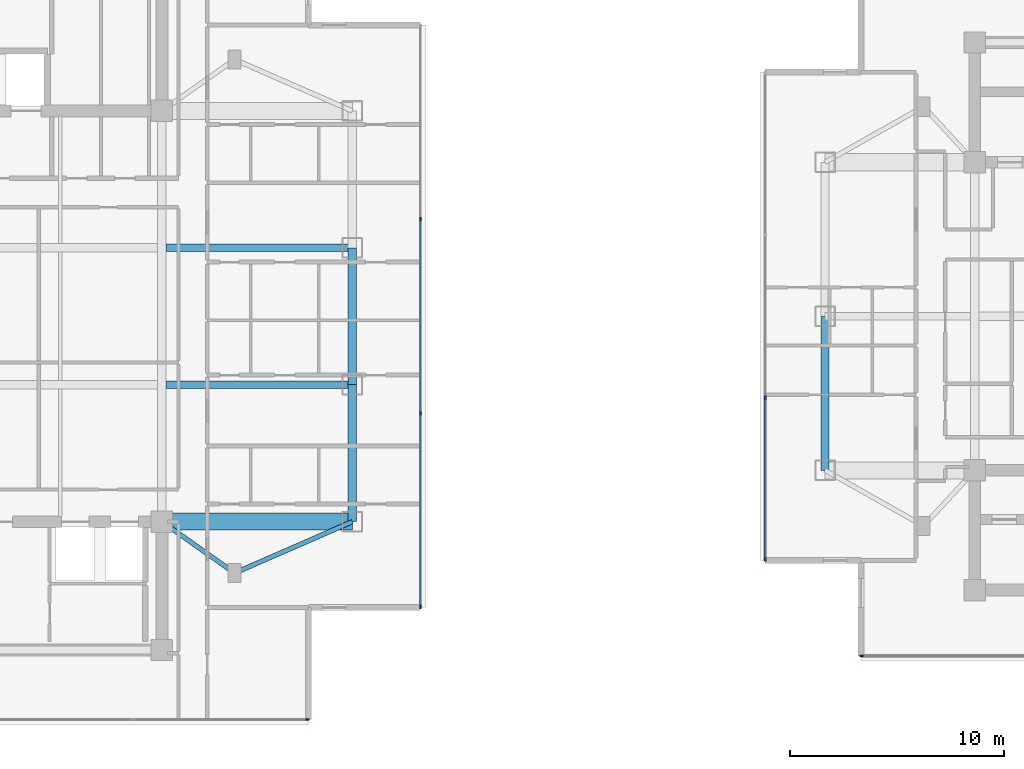
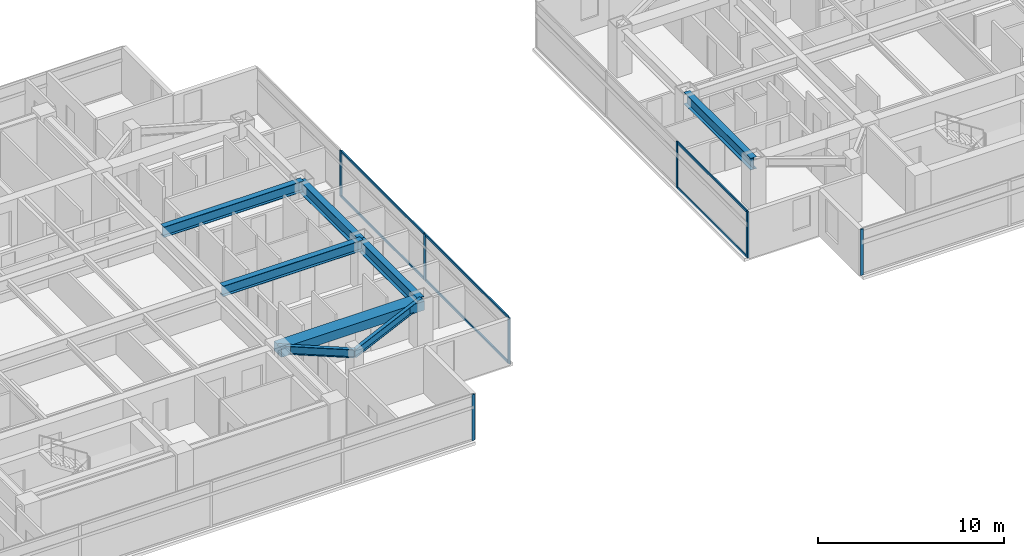
# One storey, part 4 of 25: 13 members, 8 beams, 4 elements without a shape of their own.
"""IFC4 building model written with IfcOpenShell, lengths in metres."""

from ifc_helpers import new_model, si_unit, direction, frame, origin, origin_2d, place, context, subcontext, project, spatial, rectangle, i_section, extrude, material, material_profile, profile_set, type_object, element, aggregate, save


model = new_model("IFC4")

# Units and contexts
model_context = context("Model", 3, precision=1e-05, world=origin(), true_north=direction((0.0, 1.0)))
body_context = subcontext(model_context, "Body", "Model", "MODEL_VIEW")
ifc_project = project(units=[si_unit("LENGTHUNIT", "METRE"), si_unit("AREAUNIT", "SQUARE_METRE"), si_unit("VOLUMEUNIT", "CUBIC_METRE"), si_unit("PLANEANGLEUNIT", "RADIAN"), si_unit("MASSUNIT", "GRAM", prefix="KILO")], contexts=[model_context])

# Site, building, storey
site_placement = place(None, origin())
site = spatial("IfcSite", under=ifc_project, at=site_placement, CompositionType="ELEMENT")
building_placement = place(site_placement, origin())
building = spatial("IfcBuilding", under=site, at=building_placement, Name="Mirazonda Arch Towers", CompositionType="ELEMENT")
storey_placement = place(building_placement, frame((0.0, 0.0, 177.14990234375)))
storey = spatial("IfcBuildingStorey", under=building, at=storey_placement, Name="L50", CompositionType="ELEMENT", Elevation=177.14990234375)

# Beams
ifc_material_1 = material(Name="Steel ASTM A992 Grade 50", Category="steel")
ifc_material_profile_1 = material_profile(ifc_material_1, i_section(OverallWidth=0.381103515625, OverallDepth=0.77294921875, WebThickness=0.0166015625, FlangeThickness=0.027099609375, at=origin_2d()), Name="W30X173")
ifc_profile_set_1 = profile_set([ifc_material_profile_1], Name="Steel ASTM A992 Grade 50")
beam_type_1 = type_object("IfcBeamType", Name="BM-EXT-W30X173", PredefinedType="USERDEFINED", material=ifc_profile_set_1)
beam_1_placement = place(storey_placement, frame((38.89990234375, 18.39990234375, 2.66357421875), z_axis=(0.0, 1.0, 0.0), x_axis=(-1.0, 0.0, 0.0)))
element("IfcBeam", 1, at=beam_1_placement, inside=storey, type_object=beam_type_1, Name="L50 Floor Beam BM-T1-L50-NS-E-18", ObjectType="GIRDER", PredefinedType="USERDEFINED", context=body_context, shape_type="SweptSolid", body=[
    extrude(i_section(OverallWidth=0.381103515625, OverallDepth=0.77294921875, WebThickness=0.0166015625, FlangeThickness=0.027099609375, at=origin_2d()), origin(), (0.0, 0.0, 1.0), 6.400146484375),
])
beam_2_placement = place(storey_placement, frame((38.89990234375, 24.800048828125, 2.66357421875), z_axis=(0.0, 1.0, 0.0), x_axis=(-1.0, 0.0, 0.0)))
element("IfcBeam", 2, at=beam_2_placement, inside=storey, type_object=beam_type_1, Name="L50 Floor Beam BM-T1-L50-NS-E-24", ObjectType="GIRDER", PredefinedType="USERDEFINED", context=body_context, shape_type="SweptSolid", body=[
    extrude(i_section(OverallWidth=0.381103515625, OverallDepth=0.77294921875, WebThickness=0.0166015625, FlangeThickness=0.027099609375, at=origin_2d()), origin(), (0.0, 0.0, 1.0), 6.39990234375),
])
beam_3_placement = place(storey_placement, frame((61.0, 20.800048828125, 2.66357421875), z_axis=(0.0, 1.0, 0.0), x_axis=(-1.0, 0.0, 0.0)))
element("IfcBeam", 3, at=beam_3_placement, inside=storey, type_object=beam_type_1, Name="L50 Floor Beam BM-T2-L50-NS-W-20", ObjectType="GIRDER", PredefinedType="USERDEFINED", context=body_context, shape_type="SweptSolid", body=[
    extrude(i_section(OverallWidth=0.381103515625, OverallDepth=0.77294921875, WebThickness=0.0166015625, FlangeThickness=0.027099609375, at=origin_2d()), origin(), (0.0, 0.0, 1.0), 7.199951171875),
])
ifc_material_profile_2 = material_profile(ifc_material_1, i_section(OverallWidth=0.214111328125, OverallDepth=0.549072265625, WebThickness=0.0146484375, FlangeThickness=0.023681640625, at=origin_2d()), Name="W21X93")
ifc_profile_set_2 = profile_set([ifc_material_profile_2], Name="Steel ASTM A992 Grade 50")
beam_type_2 = type_object("IfcBeamType", Name="BM-INT-W21X93", PredefinedType="BEAM", material=ifc_profile_set_2)
beam_4_placement = place(storey_placement, frame((33.39990234375, 16.0, 2.775634765625), z_axis=(-0.816971114901, 0.576678591087, 0.0), x_axis=(-0.576678591087, -0.816971114901, 0.0)))
element("IfcBeam", 4, at=beam_4_placement, inside=storey, type_object=beam_type_2, Name="L50 Floor Beam BM-T1-L50-PL-SE1", PredefinedType="BEAM", context=body_context, shape_type="SweptSolid", body=[
    extrude(i_section(OverallWidth=0.214111328125, OverallDepth=0.549072265625, WebThickness=0.0146484375, FlangeThickness=0.023681640625, at=origin_2d()), origin(), (0.0, 0.0, 1.0), 4.16162109375),
])
beam_5_placement = place(storey_placement, frame((33.39990234375, 16.0, 2.775634765625), z_axis=(0.916545343703, 0.399930785183, 0.0), x_axis=(-0.399930785183, 0.916545343703, 0.0)))
element("IfcBeam", 5, at=beam_5_placement, inside=storey, type_object=beam_type_2, Name="L50 Floor Beam BM-T1-L50-PL-SE2", PredefinedType="BEAM", context=body_context, shape_type="SweptSolid", body=[
    extrude(i_section(OverallWidth=0.214111328125, OverallDepth=0.549072265625, WebThickness=0.0146484375, FlangeThickness=0.023681640625, at=origin_2d()), origin(), (0.0, 0.0, 1.0), 6.000732421875),
])
ifc_material_profile_3 = material_profile(ifc_material_1, i_section(OverallWidth=0.35498046875, OverallDepth=0.696044921875, WebThickness=0.015380859375, FlangeThickness=0.02490234375, at=origin_2d()), Name="W27X146")
ifc_profile_set_3 = profile_set([ifc_material_profile_3], Name="Steel ASTM A992 Grade 50")
beam_type_3 = type_object("IfcBeamType", Name="BM-INT-W27X146", PredefinedType="BEAM", material=ifc_profile_set_3)
for number, where, z_axis, x_axis, name in (
    (6, (30.199951171875, 24.800048828125, 2.7021484375), (1.0, 0.0, 0.0), (0.0, 1.0, 0.0), "L50 Floor Beam BM-T1-L50-GE2"),
    (7, (30.199951171875, 31.199951171875, 2.7021484375), (1.0, 0.0, 0.0), (0.0, 1.0, 0.0), "L50 Floor Beam BM-T1-L50-GE3"),
):
    element("IfcBeam", number, at=place(storey_placement, frame(where, z_axis=z_axis, x_axis=x_axis)), inside=storey, type_object=beam_type_3, Name=name, PredefinedType="BEAM", context=body_context, shape_type="SweptSolid", body=[
        extrude(i_section(OverallWidth=0.35498046875, OverallDepth=0.696044921875, WebThickness=0.015380859375, FlangeThickness=0.02490234375, at=origin_2d()), origin(), (0.0, 0.0, 1.0), 8.699951171875),
    ])
ifc_material_2 = material(Name="Concrete C60/75", Category="concrete")
ifc_material_profile_4 = material_profile(ifc_material_2, rectangle(XDim=0.800048828125, YDim=0.60009765625, at=origin_2d()), Name="RCCB800x600")
ifc_profile_set_4 = profile_set([ifc_material_profile_4], Name="Concrete C60/75")
beam_type_4 = type_object("IfcBeamType", Name="CB-INT-RCCB800x600", PredefinedType="SPANDREL", material=ifc_profile_set_4)
beam_6_placement = place(storey_placement, frame((30.0, 18.39990234375, 2.75), z_axis=(1.0, 0.0, 0.0), x_axis=(0.0, 1.0, 0.0)))
element("IfcBeam", 8, at=beam_6_placement, inside=storey, type_object=beam_type_4, Name="L50 Floor Beam CBC-T1-L50-SE", PredefinedType="SPANDREL", context=body_context, shape_type="SweptSolid", body=[
    extrude(rectangle(XDim=0.800048828125, YDim=0.60009765625, at=origin_2d()), origin(), (0.0, 0.0, 1.0), 8.89990234375),
])

# Curtain wall, member
ifc_material_3 = material(Name="Anodised Aluminium and Low-E Glass", Category="aluminium")
curtain_wall_type = type_object("IfcCurtainWallType", Name="CW-RES-UNIT", PredefinedType="NOTDEFINED", material=ifc_material_3)
curtain_wall_1_placement = place(storey_placement, origin())
curtain_wall_1 = element("IfcCurtainWall", 9, at=curtain_wall_1_placement, inside=storey, type_object=curtain_wall_type, Name="L50 T1 S Facade CW-L50-T1-S", PredefinedType="NOTDEFINED")
ifc_material_4 = material(Name="Anodised Aluminium Alloy", Category="aluminium")
ifc_material_profile_5 = material_profile(ifc_material_4, rectangle(XDim=0.074951171875, YDim=0.175048828125, at=origin_2d()), Name="ALU-MULL-75x175")
ifc_profile_set_5 = profile_set([ifc_material_profile_5], Name="Anodised Aluminium Alloy")
member_type_1 = type_object("IfcMemberType", Name="MULL-CW-RES-UNIT", PredefinedType="MULLION", material=ifc_profile_set_5)
member_1_placement = place(storey_placement, frame((36.8076171875, 9.14404296875, 0.0), z_axis=(0.0, 0.0, 1.0), x_axis=(0.0, -1.0, 0.0)))
member_1 = element("IfcMember", 10, at=member_1_placement, type_object=member_type_1, Name="CW-104 mullion 1", PredefinedType="MULLION", context=body_context, shape_type="SweptSolid", body=[
    extrude(rectangle(XDim=0.074951171875, YDim=0.175048828125, at=origin_2d()), origin(), (0.0, 0.0, 1.0), 3.030029296875),
])
aggregate(curtain_wall_1, [member_1])

# Curtain wall, members
curtain_wall_2_placement = place(storey_placement, origin())
curtain_wall_2 = element("IfcCurtainWall", 11, at=curtain_wall_2_placement, inside=storey, type_object=curtain_wall_type, Name="L50 T1 E Facade CW-L50-T1-E", PredefinedType="NOTDEFINED")
member_2_placement = place(storey_placement, frame((42.090087890625, 14.426513671875, 0.0), z_axis=(0.0, 0.0, 1.0), x_axis=(-1.0, 0.0, 0.0)))
member_2 = element("IfcMember", 12, at=member_2_placement, type_object=member_type_1, Name="CW-104 mullion 1", PredefinedType="MULLION", context=body_context, shape_type="SweptSolid", body=[
    extrude(rectangle(XDim=0.074951171875, YDim=0.175048828125, at=origin_2d()), origin(), (0.0, 0.0, 1.0), 3.030029296875),
])
member_3_placement = place(storey_placement, frame((42.090087890625, 23.462890625, 0.0), z_axis=(0.0, 0.0, 1.0), x_axis=(-1.0, 0.0, 0.0)))
member_3 = element("IfcMember", 13, at=member_3_placement, type_object=member_type_1, Name="CW-104 mullion 2", PredefinedType="MULLION", context=body_context, shape_type="SweptSolid", body=[
    extrude(rectangle(XDim=0.074951171875, YDim=0.175048828125, at=origin_2d()), origin(), (0.0, 0.0, 1.0), 3.030029296875),
])
member_4_placement = place(storey_placement, frame((42.090087890625, 32.537109375, 0.0), z_axis=(0.0, 0.0, 1.0), x_axis=(-1.0, 0.0, 0.0)))
member_4 = element("IfcMember", 14, at=member_4_placement, type_object=member_type_1, Name="CW-104 mullion 3", PredefinedType="MULLION", context=body_context, shape_type="SweptSolid", body=[
    extrude(rectangle(XDim=0.074951171875, YDim=0.175048828125, at=origin_2d()), origin(), (0.0, 0.0, 1.0), 3.030029296875),
])

# Curtain wall, member
curtain_wall_3_placement = place(storey_placement, origin())
curtain_wall_3 = element("IfcCurtainWall", 15, at=curtain_wall_3_placement, inside=storey, type_object=curtain_wall_type, Name="L50 T2 S Facade CW-L50-T2-S", PredefinedType="NOTDEFINED")
member_5_placement = place(storey_placement, frame((62.7041015625, 12.12548828125, 0.0), z_axis=(0.0, 0.0, 1.0), x_axis=(0.0, -1.0, 0.0)))
member_5 = element("IfcMember", 16, at=member_5_placement, type_object=member_type_1, Name="CW-104 mullion 4", PredefinedType="MULLION", context=body_context, shape_type="SweptSolid", body=[
    extrude(rectangle(XDim=0.074951171875, YDim=0.175048828125, at=origin_2d()), origin(), (0.0, 0.0, 1.0), 3.030029296875),
])
aggregate(curtain_wall_3, [member_5])

# Curtain wall, members
curtain_wall_4_placement = place(storey_placement, origin())
curtain_wall_4 = element("IfcCurtainWall", 17, at=curtain_wall_4_placement, inside=storey, type_object=curtain_wall_type, Name="L50 T2 W Facade CW-L50-T2-W", PredefinedType="NOTDEFINED")
member_6_placement = place(storey_placement, frame((58.201416015625, 24.19677734375, 0.0), z_axis=(0.0, 0.0, 1.0), x_axis=(1.0, 0.0, 0.0)))
member_6 = element("IfcMember", 18, at=member_6_placement, type_object=member_type_1, Name="CW-104 mullion 3", PredefinedType="MULLION", context=body_context, shape_type="SweptSolid", body=[
    extrude(rectangle(XDim=0.074951171875, YDim=0.175048828125, at=origin_2d()), origin(), (0.0, 0.0, 1.0), 3.030029296875),
])
member_7_placement = place(storey_placement, frame((58.201416015625, 16.628173828125, 0.0), z_axis=(0.0, 0.0, 1.0), x_axis=(1.0, 0.0, 0.0)))
member_7 = element("IfcMember", 19, at=member_7_placement, type_object=member_type_1, Name="CW-104 mullion 4", PredefinedType="MULLION", context=body_context, shape_type="SweptSolid", body=[
    extrude(rectangle(XDim=0.074951171875, YDim=0.175048828125, at=origin_2d()), origin(), (0.0, 0.0, 1.0), 3.030029296875),
])

# Member
ifc_material_profile_6 = material_profile(ifc_material_4, rectangle(XDim=0.074951171875, YDim=0.155029296875, at=origin_2d()), Name="ALU-TRAN-75x155")
ifc_profile_set_6 = profile_set([ifc_material_profile_6], Name="Anodised Aluminium Alloy")
member_type_2 = type_object("IfcMemberType", Name="TRAN-CW-RES-UNIT", PredefinedType="USERDEFINED", material=ifc_profile_set_6)
member_8_placement = place(storey_placement, frame((42.090087890625, 14.464111328125, 0.03759765625), z_axis=(0.0, 1.0, 0.0), x_axis=(-1.0, 0.0, 0.0)))
member_8 = element("IfcMember", 20, at=member_8_placement, type_object=member_type_2, Name="CW-104 transom 1.1", ObjectType="TRANSOM", PredefinedType="USERDEFINED", context=body_context, shape_type="SweptSolid", body=[
    extrude(rectangle(XDim=0.074951171875, YDim=0.155029296875, at=origin_2d()), origin(), (0.0, 0.0, 1.0), 8.96142578125),
])

member_9_placement = place(storey_placement, frame((42.090087890625, 14.464111328125, 2.99267578125), z_axis=(0.0, 1.0, 0.0), x_axis=(-1.0, 0.0, 0.0)))
member_9 = element("IfcMember", 21, at=member_9_placement, type_object=member_type_2, Name="CW-104 transom 1.2", ObjectType="TRANSOM", PredefinedType="USERDEFINED", context=body_context, shape_type="SweptSolid", body=[
    extrude(rectangle(XDim=0.074951171875, YDim=0.155029296875, at=origin_2d()), origin(), (0.0, 0.0, 1.0), 8.96142578125),
])

member_10_placement = place(storey_placement, frame((42.090087890625, 23.50048828125, 0.03759765625), z_axis=(0.0, 1.0, 0.0), x_axis=(-1.0, 0.0, 0.0)))
member_10 = element("IfcMember", 22, at=member_10_placement, type_object=member_type_2, Name="CW-104 transom 2.1", ObjectType="TRANSOM", PredefinedType="USERDEFINED", context=body_context, shape_type="SweptSolid", body=[
    extrude(rectangle(XDim=0.074951171875, YDim=0.155029296875, at=origin_2d()), origin(), (0.0, 0.0, 1.0), 8.9990234375),
])

member_11_placement = place(storey_placement, frame((42.090087890625, 23.50048828125, 2.99267578125), z_axis=(0.0, 1.0, 0.0), x_axis=(-1.0, 0.0, 0.0)))
member_11 = element("IfcMember", 23, at=member_11_placement, type_object=member_type_2, Name="CW-104 transom 2.2", ObjectType="TRANSOM", PredefinedType="USERDEFINED", context=body_context, shape_type="SweptSolid", body=[
    extrude(rectangle(XDim=0.074951171875, YDim=0.155029296875, at=origin_2d()), origin(), (0.0, 0.0, 1.0), 8.9990234375),
])

aggregate(curtain_wall_2, [member_2, member_3, member_4, member_8, member_9, member_10, member_11])

member_12_placement = place(storey_placement, frame((58.201416015625, 24.159423828125, 0.03759765625), z_axis=(0.0, -1.0, 0.0), x_axis=(1.0, 0.0, 0.0)))
member_12 = element("IfcMember", 24, at=member_12_placement, type_object=member_type_2, Name="CW-104 transom 3.1", ObjectType="TRANSOM", PredefinedType="USERDEFINED", context=body_context, shape_type="SweptSolid", body=[
    extrude(rectangle(XDim=0.074951171875, YDim=0.155029296875, at=origin_2d()), origin(), (0.0, 0.0, 1.0), 7.493896484375),
])

member_13_placement = place(storey_placement, frame((58.201416015625, 24.159423828125, 2.99267578125), z_axis=(0.0, -1.0, 0.0), x_axis=(1.0, 0.0, 0.0)))
member_13 = element("IfcMember", 25, at=member_13_placement, type_object=member_type_2, Name="CW-104 transom 3.2", ObjectType="TRANSOM", PredefinedType="USERDEFINED", context=body_context, shape_type="SweptSolid", body=[
    extrude(rectangle(XDim=0.074951171875, YDim=0.155029296875, at=origin_2d()), origin(), (0.0, 0.0, 1.0), 7.493896484375),
])

aggregate(curtain_wall_4, [member_6, member_7, member_12, member_13])

save(model, "model.ifc")
